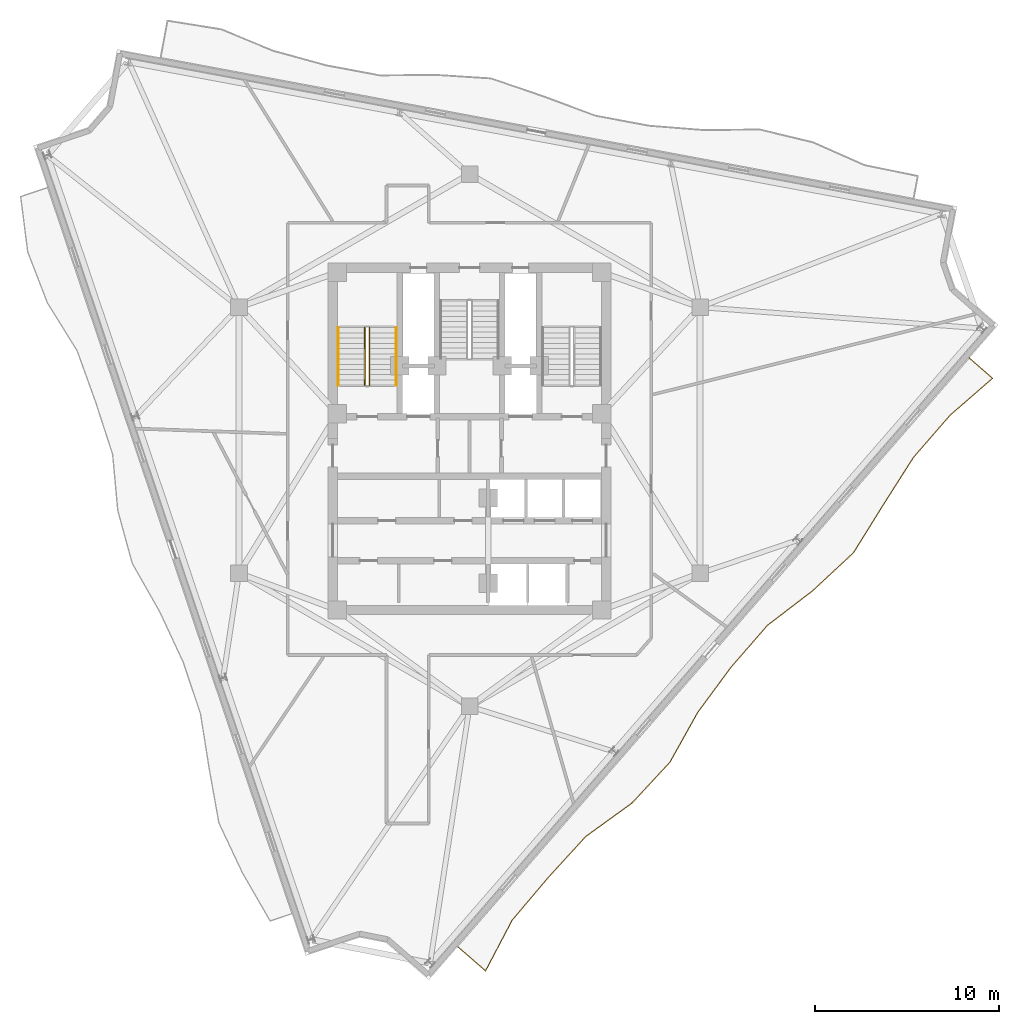
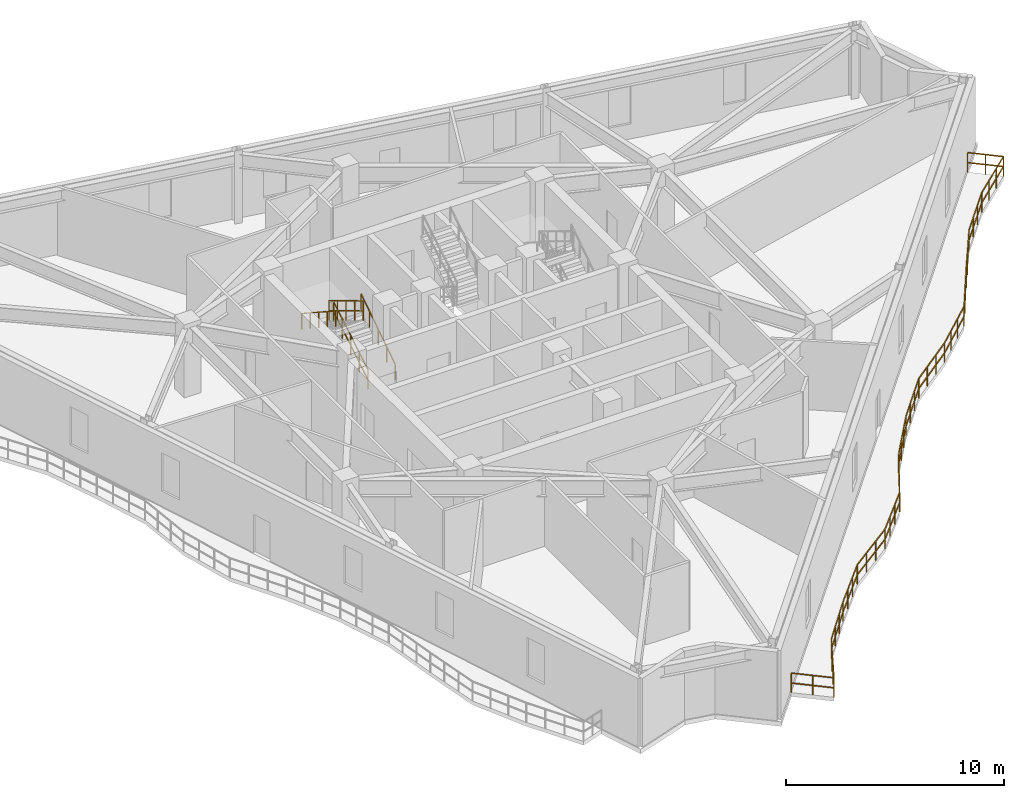
# One storey, part 8 of 9: 5 railings.
"""IFC4 building model written with IfcOpenShell, lengths in metres."""

from ifc_helpers import new_model, si_unit, direction, frame, origin, origin_2d, place, context, subcontext, project, spatial, rectangle, extrude, material, type_object, element, save


model = new_model("IFC4")

# Units and contexts
model_context = context("Model", 3, precision=1e-05, world=origin(), true_north=direction((0.0, 1.0)))
body_context = subcontext(model_context, "Body", "Model", "MODEL_VIEW")
ifc_project = project(units=[si_unit("LENGTHUNIT", "METRE"), si_unit("AREAUNIT", "SQUARE_METRE"), si_unit("VOLUMEUNIT", "CUBIC_METRE"), si_unit("PLANEANGLEUNIT", "RADIAN"), si_unit("MASSUNIT", "GRAM", prefix="KILO")], contexts=[model_context])

# Site, building, storey
site_placement = place(None, origin())
site = spatial("IfcSite", under=ifc_project, at=site_placement, CompositionType="ELEMENT")
building_placement = place(site_placement, origin())
building = spatial("IfcBuilding", under=site, at=building_placement, Name="Apsidion Concourse Tower", CompositionType="ELEMENT")
storey_placement = place(building_placement, frame((0.0, 0.0, 273.699951171875)))
storey = spatial("IfcBuildingStorey", under=building, at=storey_placement, Name="L64", CompositionType="ELEMENT", Elevation=273.699951171875)

# Railings
ifc_material = material(Name="Brushed stainless steel 316", Category="steel")
railing_type_1 = type_object("IfcRailingType", Name="RL-BAL-1120", PredefinedType="BALUSTRADE", material=ifc_material)
railing_1_placement = place(storey_placement, frame((27.2392578125, 4.47607421875, 0.0)))
element("IfcRailing", 1, at=railing_1_placement, inside=storey, type_object=railing_type_1, Name="L64 Face 2 Rippling Balcony Balustrade", PredefinedType="BALUSTRADE", context=body_context, shape_type="SweptSolid", body=[
    extrude(rectangle(XDim=0.048095703125, YDim=0.048095703125, at=origin_2d()), frame((0.0, 0.0, 1.09619140625), z_axis=(0.754693322425, -0.656077730979, 0.0), x_axis=(0.656077730979, 0.754693322425, 0.0)), (0.0, 0.0, 1.0), 1.676025390625),
    extrude(rectangle(XDim=0.048095703125, YDim=0.048095703125, at=origin_2d()), frame((0.0, 0.0, 0.5361328125), z_axis=(0.754693322425, -0.656077730979, 0.0), x_axis=(0.656077730979, 0.754693322425, 0.0)), (0.0, 0.0, 1.0), 1.676025390625),
    extrude(rectangle(XDim=0.048095703125, YDim=0.048095703125, at=origin_2d()), frame((1.264892578125, -1.099609375, 1.09619140625), z_axis=(-0.75457637179, -0.65621223635, 0.0), x_axis=(0.65621223635, -0.75457637179, 0.0)), (0.0, 0.0, 1.0), 3.065185546875),
    extrude(rectangle(XDim=0.048095703125, YDim=0.048095703125, at=origin_2d()), frame((1.264892578125, -1.099609375, 0.5361328125), z_axis=(-0.75457637179, -0.65621223635, 0.0), x_axis=(0.65621223635, -0.75457637179, 0.0)), (0.0, 0.0, 1.0), 3.065185546875),
    extrude(rectangle(XDim=0.048095703125, YDim=0.048095703125, at=origin_2d()), frame((-1.048095703125, -3.111083984375, 1.09619140625), z_axis=(-0.656081135174, -0.754690363042, 0.0), x_axis=(0.754690363042, -0.656081135174, 0.0)), (0.0, 0.0, 1.0), 3.035400390625),
    extrude(rectangle(XDim=0.048095703125, YDim=0.048095703125, at=origin_2d()), frame((-1.048095703125, -3.111083984375, 0.5361328125), z_axis=(-0.656081135174, -0.754690363042, 0.0), x_axis=(0.754690363042, -0.656081135174, 0.0)), (0.0, 0.0, 1.0), 3.035400390625),
    extrude(rectangle(XDim=0.048095703125, YDim=0.048095703125, at=origin_2d()), frame((-3.03955078125, -5.40185546875, 1.09619140625), z_axis=(-0.537179093814, -0.843468209934, 0.0), x_axis=(0.843468209934, -0.537179093814, 0.0)), (0.0, 0.0, 1.0), 3.069580078125),
    extrude(rectangle(XDim=0.048095703125, YDim=0.048095703125, at=origin_2d()), frame((-3.03955078125, -5.40185546875, 0.5361328125), z_axis=(-0.537179093814, -0.843468209934, 0.0), x_axis=(0.843468209934, -0.537179093814, 0.0)), (0.0, 0.0, 1.0), 3.069580078125),
    extrude(rectangle(XDim=0.048095703125, YDim=0.048095703125, at=origin_2d()), frame((-4.6884765625, -7.990966796875, 1.09619140625), z_axis=(-0.527491336038, -0.849560410097, 0.0), x_axis=(0.849560410097, -0.527491336038, 0.0)), (0.0, 0.0, 1.0), 3.07470703125),
    extrude(rectangle(XDim=0.048095703125, YDim=0.048095703125, at=origin_2d()), frame((-4.6884765625, -7.990966796875, 0.5361328125), z_axis=(-0.527491336038, -0.849560410097, 0.0), x_axis=(0.849560410097, -0.527491336038, 0.0)), (0.0, 0.0, 1.0), 3.07470703125),
    extrude(rectangle(XDim=0.048095703125, YDim=0.048095703125, at=origin_2d()), frame((-6.310302734375, -10.60302734375, 1.09619140625), z_axis=(-0.731966868206, -0.681340226207, 0.0), x_axis=(0.681340226207, -0.731966868206, 0.0)), (0.0, 0.0, 1.0), 3.052490234375),
    extrude(rectangle(XDim=0.048095703125, YDim=0.048095703125, at=origin_2d()), frame((-6.310302734375, -10.60302734375, 0.5361328125), z_axis=(-0.731966868206, -0.681340226207, 0.0), x_axis=(0.681340226207, -0.731966868206, 0.0)), (0.0, 0.0, 1.0), 3.052490234375),
    extrude(rectangle(XDim=0.048095703125, YDim=0.048095703125, at=origin_2d()), frame((-8.544677734375, -12.682861328125, 1.09619140625), z_axis=(-0.79418558519, -0.607675288519, 0.0), x_axis=(0.607675288519, -0.79418558519, 0.0)), (0.0, 0.0, 1.0), 3.098388671875),
    extrude(rectangle(XDim=0.048095703125, YDim=0.048095703125, at=origin_2d()), frame((-8.544677734375, -12.682861328125, 0.5361328125), z_axis=(-0.79418558519, -0.607675288519, 0.0), x_axis=(0.607675288519, -0.79418558519, 0.0)), (0.0, 0.0, 1.0), 3.098388671875),
    extrude(rectangle(XDim=0.048095703125, YDim=0.048095703125, at=origin_2d()), frame((-11.00537109375, -14.565673828125, 1.09619140625), z_axis=(-0.656087120153, -0.754685160029, 0.0), x_axis=(0.754685160029, -0.656087120153, 0.0)), (0.0, 0.0, 1.0), 3.03564453125),
    extrude(rectangle(XDim=0.048095703125, YDim=0.048095703125, at=origin_2d()), frame((-11.00537109375, -14.565673828125, 0.5361328125), z_axis=(-0.656087120153, -0.754685160029, 0.0), x_axis=(0.754685160029, -0.656087120153, 0.0)), (0.0, 0.0, 1.0), 3.03564453125),
    extrude(rectangle(XDim=0.048095703125, YDim=0.048095703125, at=origin_2d()), frame((-12.9970703125, -16.856689453125, 1.09619140625), z_axis=(-0.59299939253, -0.80520290639, 0.0), x_axis=(0.80520290639, -0.59299939253, 0.0)), (0.0, 0.0, 1.0), 3.04541015625),
    extrude(rectangle(XDim=0.048095703125, YDim=0.048095703125, at=origin_2d()), frame((-12.9970703125, -16.856689453125, 0.5361328125), z_axis=(-0.59299939253, -0.80520290639, 0.0), x_axis=(0.80520290639, -0.59299939253, 0.0)), (0.0, 0.0, 1.0), 3.04541015625),
    extrude(rectangle(XDim=0.048095703125, YDim=0.048095703125, at=origin_2d()), frame((-14.802978515625, -19.308837890625, 1.09619140625), z_axis=(-0.487339638568, -0.873212503736, 0.0), x_axis=(0.873212503736, -0.487339638568, 0.0)), (0.0, 0.0, 1.0), 3.1015625),
    extrude(rectangle(XDim=0.048095703125, YDim=0.048095703125, at=origin_2d()), frame((-14.802978515625, -19.308837890625, 0.5361328125), z_axis=(-0.487339638568, -0.873212503736, 0.0), x_axis=(0.873212503736, -0.487339638568, 0.0)), (0.0, 0.0, 1.0), 3.1015625),
    extrude(rectangle(XDim=0.048095703125, YDim=0.048095703125, at=origin_2d()), frame((-16.314453125, -22.01708984375, 1.09619140625), z_axis=(-0.679914415442, -0.73329147525, 0.0), x_axis=(0.73329147525, -0.679914415442, 0.0)), (0.0, 0.0, 1.0), 3.037109375),
    extrude(rectangle(XDim=0.048095703125, YDim=0.048095703125, at=origin_2d()), frame((-16.314453125, -22.01708984375, 0.5361328125), z_axis=(-0.679914415442, -0.73329147525, 0.0), x_axis=(0.73329147525, -0.679914415442, 0.0)), (0.0, 0.0, 1.0), 3.037109375),
    extrude(rectangle(XDim=0.048095703125, YDim=0.048095703125, at=origin_2d()), frame((-18.37939453125, -24.244140625, 1.09619140625), z_axis=(-0.810321747374, -0.585985209483, 0.0), x_axis=(0.585985209483, -0.810321747374, 0.0)), (0.0, 0.0, 1.0), 3.116943359375),
    extrude(rectangle(XDim=0.048095703125, YDim=0.048095703125, at=origin_2d()), frame((-18.37939453125, -24.244140625, 0.5361328125), z_axis=(-0.810321747374, -0.585985209483, 0.0), x_axis=(0.585985209483, -0.810321747374, 0.0)), (0.0, 0.0, 1.0), 3.116943359375),
    extrude(rectangle(XDim=0.048095703125, YDim=0.048095703125, at=origin_2d()), frame((-20.905029296875, -26.070556640625, 1.09619140625), z_axis=(-0.674886807521, -0.737921267504, 0.0), x_axis=(0.737921267504, -0.674886807521, 0.0)), (0.0, 0.0, 1.0), 3.03662109375),
    extrude(rectangle(XDim=0.048095703125, YDim=0.048095703125, at=origin_2d()), frame((-20.905029296875, -26.070556640625, 0.5361328125), z_axis=(-0.674886807521, -0.737921267504, 0.0), x_axis=(0.737921267504, -0.674886807521, 0.0)), (0.0, 0.0, 1.0), 3.03662109375),
    extrude(rectangle(XDim=0.048095703125, YDim=0.048095703125, at=origin_2d()), frame((-22.954345703125, -28.311279296875, 1.09619140625), z_axis=(-0.64535084011, -0.76388630906, 0.0), x_axis=(0.76388630906, -0.64535084011, 0.0)), (0.0, 0.0, 1.0), 3.035888671875),
    extrude(rectangle(XDim=0.048095703125, YDim=0.048095703125, at=origin_2d()), frame((-22.954345703125, -28.311279296875, 0.5361328125), z_axis=(-0.64535084011, -0.76388630906, 0.0), x_axis=(0.76388630906, -0.64535084011, 0.0)), (0.0, 0.0, 1.0), 3.035888671875),
    extrude(rectangle(XDim=0.048095703125, YDim=0.048095703125, at=origin_2d()), frame((-24.91357421875, -30.63037109375, 1.09619140625), z_axis=(-0.46503331461, -0.885293180987, 0.0), x_axis=(0.885293180987, -0.46503331461, 0.0)), (0.0, 0.0, 1.0), 3.118896484375),
    extrude(rectangle(XDim=0.048095703125, YDim=0.048095703125, at=origin_2d()), frame((-24.91357421875, -30.63037109375, 0.5361328125), z_axis=(-0.46503331461, -0.885293180987, 0.0), x_axis=(0.885293180987, -0.46503331461, 0.0)), (0.0, 0.0, 1.0), 3.118896484375),
    extrude(rectangle(XDim=0.048095703125, YDim=0.048095703125, at=origin_2d()), frame((-26.364013671875, -33.3916015625, 1.09619140625), z_axis=(-0.754762419194, 0.655998239763, 0.0), x_axis=(-0.655998239763, -0.754762419194, 0.0)), (0.0, 0.0, 1.0), 2.009765625),
    extrude(rectangle(XDim=0.048095703125, YDim=0.048095703125, at=origin_2d()), frame((-26.364013671875, -33.3916015625, 0.5361328125), z_axis=(-0.754762419194, 0.655998239763, 0.0), x_axis=(-0.655998239763, -0.754762419194, 0.0)), (0.0, 0.0, 1.0), 2.009765625),
    extrude(rectangle(XDim=0.0419921875, YDim=0.0419921875, at=origin_2d()), origin(), (0.0, 0.0, 1.0), 1.072021484375),
    extrude(rectangle(XDim=0.0419921875, YDim=0.0419921875, at=origin_2d()), frame((0.63232421875, -0.5498046875, 0.0)), (0.0, 0.0, 1.0), 1.072021484375),
    extrude(rectangle(XDim=0.0419921875, YDim=0.0419921875, at=origin_2d()), frame((1.264892578125, -1.099609375, 0.0)), (0.0, 0.0, 1.0), 1.072021484375),
    extrude(rectangle(XDim=0.0419921875, YDim=0.0419921875, at=origin_2d()), frame((0.493896484375, -1.77001953125, 0.0)), (0.0, 0.0, 1.0), 1.072021484375),
    extrude(rectangle(XDim=0.0419921875, YDim=0.0419921875, at=origin_2d()), frame((-0.277099609375, -2.440673828125, 0.0)), (0.0, 0.0, 1.0), 1.072021484375),
    extrude(rectangle(XDim=0.0419921875, YDim=0.0419921875, at=origin_2d()), frame((-1.048095703125, -3.111083984375, 0.0)), (0.0, 0.0, 1.0), 1.072021484375),
    extrude(rectangle(XDim=0.0419921875, YDim=0.0419921875, at=origin_2d()), frame((-1.7119140625, -3.874755859375, 0.0)), (0.0, 0.0, 1.0), 1.072021484375),
    extrude(rectangle(XDim=0.0419921875, YDim=0.0419921875, at=origin_2d()), frame((-2.375732421875, -4.63818359375, 0.0)), (0.0, 0.0, 1.0), 1.072021484375),
    extrude(rectangle(XDim=0.0419921875, YDim=0.0419921875, at=origin_2d()), frame((-3.03955078125, -5.40185546875, 0.0)), (0.0, 0.0, 1.0), 1.072021484375),
    extrude(rectangle(XDim=0.0419921875, YDim=0.0419921875, at=origin_2d()), frame((-3.589111328125, -6.264892578125, 0.0)), (0.0, 0.0, 1.0), 1.072021484375),
    extrude(rectangle(XDim=0.0419921875, YDim=0.0419921875, at=origin_2d()), frame((-4.138916015625, -7.1279296875, 0.0)), (0.0, 0.0, 1.0), 1.072021484375),
    extrude(rectangle(XDim=0.0419921875, YDim=0.0419921875, at=origin_2d()), frame((-4.6884765625, -7.990966796875, 0.0)), (0.0, 0.0, 1.0), 1.072021484375),
    extrude(rectangle(XDim=0.0419921875, YDim=0.0419921875, at=origin_2d()), frame((-5.22900390625, -8.861572265625, 0.0)), (0.0, 0.0, 1.0), 1.072021484375),
    extrude(rectangle(XDim=0.0419921875, YDim=0.0419921875, at=origin_2d()), frame((-5.769775390625, -9.732421875, 0.0)), (0.0, 0.0, 1.0), 1.072021484375),
    extrude(rectangle(XDim=0.0419921875, YDim=0.0419921875, at=origin_2d()), frame((-6.310302734375, -10.60302734375, 0.0)), (0.0, 0.0, 1.0), 1.072021484375),
    extrude(rectangle(XDim=0.0419921875, YDim=0.0419921875, at=origin_2d()), frame((-7.05517578125, -11.29638671875, 0.0)), (0.0, 0.0, 1.0), 1.072021484375),
    extrude(rectangle(XDim=0.0419921875, YDim=0.0419921875, at=origin_2d()), frame((-7.7998046875, -11.989501953125, 0.0)), (0.0, 0.0, 1.0), 1.072021484375),
    extrude(rectangle(XDim=0.0419921875, YDim=0.0419921875, at=origin_2d()), frame((-8.544677734375, -12.682861328125, 0.0)), (0.0, 0.0, 1.0), 1.072021484375),
    extrude(rectangle(XDim=0.0419921875, YDim=0.0419921875, at=origin_2d()), frame((-9.364990234375, -13.310546875, 0.0)), (0.0, 0.0, 1.0), 1.072021484375),
    extrude(rectangle(XDim=0.0419921875, YDim=0.0419921875, at=origin_2d()), frame((-10.18505859375, -13.93798828125, 0.0)), (0.0, 0.0, 1.0), 1.072021484375),
    extrude(rectangle(XDim=0.0419921875, YDim=0.0419921875, at=origin_2d()), frame((-11.00537109375, -14.565673828125, 0.0)), (0.0, 0.0, 1.0), 1.072021484375),
    extrude(rectangle(XDim=0.0419921875, YDim=0.0419921875, at=origin_2d()), frame((-11.669189453125, -15.329345703125, 0.0)), (0.0, 0.0, 1.0), 1.072021484375),
    extrude(rectangle(XDim=0.0419921875, YDim=0.0419921875, at=origin_2d()), frame((-12.333251953125, -16.093017578125, 0.0)), (0.0, 0.0, 1.0), 1.072021484375),
    extrude(rectangle(XDim=0.0419921875, YDim=0.0419921875, at=origin_2d()), frame((-12.9970703125, -16.856689453125, 0.0)), (0.0, 0.0, 1.0), 1.072021484375),
    extrude(rectangle(XDim=0.0419921875, YDim=0.0419921875, at=origin_2d()), frame((-13.59912109375, -17.674072265625, 0.0)), (0.0, 0.0, 1.0), 1.072021484375),
    extrude(rectangle(XDim=0.0419921875, YDim=0.0419921875, at=origin_2d()), frame((-14.200927734375, -18.491455078125, 0.0)), (0.0, 0.0, 1.0), 1.072021484375),
    extrude(rectangle(XDim=0.0419921875, YDim=0.0419921875, at=origin_2d()), frame((-14.802978515625, -19.308837890625, 0.0)), (0.0, 0.0, 1.0), 1.072021484375),
    extrude(rectangle(XDim=0.0419921875, YDim=0.0419921875, at=origin_2d()), frame((-15.306884765625, -20.211669921875, 0.0)), (0.0, 0.0, 1.0), 1.072021484375),
    extrude(rectangle(XDim=0.0419921875, YDim=0.0419921875, at=origin_2d()), frame((-15.810546875, -21.1142578125, 0.0)), (0.0, 0.0, 1.0), 1.072021484375),
    extrude(rectangle(XDim=0.0419921875, YDim=0.0419921875, at=origin_2d()), frame((-16.314453125, -22.01708984375, 0.0)), (0.0, 0.0, 1.0), 1.072021484375),
    extrude(rectangle(XDim=0.0419921875, YDim=0.0419921875, at=origin_2d()), frame((-17.002685546875, -22.759521484375, 0.0)), (0.0, 0.0, 1.0), 1.072021484375),
    extrude(rectangle(XDim=0.0419921875, YDim=0.0419921875, at=origin_2d()), frame((-17.691162109375, -23.501708984375, 0.0)), (0.0, 0.0, 1.0), 1.072021484375),
    extrude(rectangle(XDim=0.0419921875, YDim=0.0419921875, at=origin_2d()), frame((-18.37939453125, -24.244140625, 0.0)), (0.0, 0.0, 1.0), 1.072021484375),
    extrude(rectangle(XDim=0.0419921875, YDim=0.0419921875, at=origin_2d()), frame((-19.22119140625, -24.85302734375, 0.0)), (0.0, 0.0, 1.0), 1.072021484375),
    extrude(rectangle(XDim=0.0419921875, YDim=0.0419921875, at=origin_2d()), frame((-20.063232421875, -25.461669921875, 0.0)), (0.0, 0.0, 1.0), 1.072021484375),
    extrude(rectangle(XDim=0.0419921875, YDim=0.0419921875, at=origin_2d()), frame((-20.905029296875, -26.070556640625, 0.0)), (0.0, 0.0, 1.0), 1.072021484375),
    extrude(rectangle(XDim=0.0419921875, YDim=0.0419921875, at=origin_2d()), frame((-21.588134765625, -26.8173828125, 0.0)), (0.0, 0.0, 1.0), 1.072021484375),
    extrude(rectangle(XDim=0.0419921875, YDim=0.0419921875, at=origin_2d()), frame((-22.271240234375, -27.564453125, 0.0)), (0.0, 0.0, 1.0), 1.072021484375),
    extrude(rectangle(XDim=0.0419921875, YDim=0.0419921875, at=origin_2d()), frame((-22.954345703125, -28.311279296875, 0.0)), (0.0, 0.0, 1.0), 1.072021484375),
    extrude(rectangle(XDim=0.0419921875, YDim=0.0419921875, at=origin_2d()), frame((-23.607421875, -29.084228515625, 0.0)), (0.0, 0.0, 1.0), 1.072021484375),
    extrude(rectangle(XDim=0.0419921875, YDim=0.0419921875, at=origin_2d()), frame((-24.260498046875, -29.857421875, 0.0)), (0.0, 0.0, 1.0), 1.072021484375),
    extrude(rectangle(XDim=0.0419921875, YDim=0.0419921875, at=origin_2d()), frame((-24.91357421875, -30.63037109375, 0.0)), (0.0, 0.0, 1.0), 1.072021484375),
    extrude(rectangle(XDim=0.0419921875, YDim=0.0419921875, at=origin_2d()), frame((-25.39697265625, -31.55078125, 0.0)), (0.0, 0.0, 1.0), 1.072021484375),
    extrude(rectangle(XDim=0.0419921875, YDim=0.0419921875, at=origin_2d()), frame((-25.880615234375, -32.47119140625, 0.0)), (0.0, 0.0, 1.0), 1.072021484375),
    extrude(rectangle(XDim=0.0419921875, YDim=0.0419921875, at=origin_2d()), frame((-26.364013671875, -33.3916015625, 0.0)), (0.0, 0.0, 1.0), 1.072021484375),
    extrude(rectangle(XDim=0.0419921875, YDim=0.0419921875, at=origin_2d()), frame((-27.12255859375, -32.732421875, 0.0)), (0.0, 0.0, 1.0), 1.072021484375),
    extrude(rectangle(XDim=0.0419921875, YDim=0.0419921875, at=origin_2d()), frame((-27.880859375, -32.0732421875, 0.0)), (0.0, 0.0, 1.0), 1.072021484375),
])
railing_type_2 = type_object("IfcRailingType", Name="RL-GUARD-1100", PredefinedType="GUARDRAIL", material=ifc_material)
railing_2_placement = place(storey_placement, frame((-5.449951171875, 3.0, 0.1708984375)))
element("IfcRailing", 2, at=railing_2_placement, inside=storey, type_object=railing_type_2, Name="L64 ST1 stair guard 1", PredefinedType="GUARDRAIL", context=body_context, shape_type="SweptSolid", body=[
    extrude(rectangle(XDim=0.048095703125, YDim=0.048095703125, at=origin_2d()), frame((0.0, 0.0, 1.09619140625), z_axis=(0.0, 0.857716804754, 0.514122439544), x_axis=(-1.0, 0.0, 0.0)), (0.0, 0.0, 1.0), 3.655029296875),
    extrude(rectangle(XDim=0.048095703125, YDim=0.048095703125, at=origin_2d()), frame((0.0, 0.0, 0.5361328125), z_axis=(0.0, 0.857716804754, 0.514122439544), x_axis=(-1.0, 0.0, 0.0)), (0.0, 0.0, 1.0), 3.655029296875),
    extrude(rectangle(XDim=0.0419921875, YDim=0.0419921875, at=origin_2d()), origin(), (0.0, 0.0, 1.0), 1.072021484375),
    extrude(rectangle(XDim=0.0419921875, YDim=0.0419921875, at=origin_2d()), frame((0.0, 0.78369140625, 0.4697265625)), (0.0, 0.0, 1.0), 1.072021484375),
    extrude(rectangle(XDim=0.0419921875, YDim=0.0419921875, at=origin_2d()), frame((0.0, 1.5673828125, 0.939453125)), (0.0, 0.0, 1.0), 1.072021484375),
    extrude(rectangle(XDim=0.0419921875, YDim=0.0419921875, at=origin_2d()), frame((0.0, 2.351318359375, 1.409423828125)), (0.0, 0.0, 1.0), 1.072021484375),
    extrude(rectangle(XDim=0.0419921875, YDim=0.0419921875, at=origin_2d()), frame((0.0, 3.135009765625, 1.879150390625)), (0.0, 0.0, 1.0), 1.072021484375),
])
railing_3_placement = place(storey_placement, frame((-5.699951171875, 6.135009765625, 2.220947265625)))
element("IfcRailing", 3, at=railing_3_placement, inside=storey, type_object=railing_type_2, Name="L64 ST1 stair guard 3", PredefinedType="GUARDRAIL", context=body_context, shape_type="SweptSolid", body=[
    extrude(rectangle(XDim=0.048095703125, YDim=0.048095703125, at=origin_2d()), frame((0.0, 0.0, 1.09619140625), z_axis=(0.0, -0.857716804754, 0.514122439544), x_axis=(1.0, 0.0, 0.0)), (0.0, 0.0, 1.0), 3.655029296875),
    extrude(rectangle(XDim=0.048095703125, YDim=0.048095703125, at=origin_2d()), frame((0.0, 0.0, 0.5361328125), z_axis=(0.0, -0.857716804754, 0.514122439544), x_axis=(1.0, 0.0, 0.0)), (0.0, 0.0, 1.0), 3.655029296875),
    extrude(rectangle(XDim=0.0419921875, YDim=0.0419921875, at=origin_2d()), origin(), (0.0, 0.0, 1.0), 1.072021484375),
    extrude(rectangle(XDim=0.0419921875, YDim=0.0419921875, at=origin_2d()), frame((0.0, -0.78369140625, 0.4697265625)), (0.0, 0.0, 1.0), 1.072021484375),
    extrude(rectangle(XDim=0.0419921875, YDim=0.0419921875, at=origin_2d()), frame((0.0, -1.5673828125, 0.939453125)), (0.0, 0.0, 1.0), 1.072021484375),
    extrude(rectangle(XDim=0.0419921875, YDim=0.0419921875, at=origin_2d()), frame((0.0, -2.351318359375, 1.409423828125)), (0.0, 0.0, 1.0), 1.072021484375),
    extrude(rectangle(XDim=0.0419921875, YDim=0.0419921875, at=origin_2d()), frame((0.0, -3.135009765625, 1.879150390625)), (0.0, 0.0, 1.0), 1.072021484375),
])
railing_type_3 = type_object("IfcRailingType", Name="RL-HAND-900", PredefinedType="HANDRAIL", material=ifc_material)
railing_4_placement = place(storey_placement, frame((-4.0, 3.0, 0.1708984375)))
element("IfcRailing", 4, at=railing_4_placement, inside=storey, type_object=railing_type_3, Name="L64 ST1 stair handrail 1", PredefinedType="HANDRAIL", context=body_context, shape_type="SweptSolid", body=[
    extrude(rectangle(XDim=0.048095703125, YDim=0.048095703125, at=origin_2d()), frame((0.0, 0.0, 0.8759765625), z_axis=(0.0, 0.836940907821, 0.547293263996), x_axis=(-1.0, 0.0, 0.0)), (0.0, 0.0, 1.0), 3.745849609375),
    extrude(rectangle(XDim=0.0419921875, YDim=0.0419921875, at=origin_2d()), origin(), (0.0, 0.0, 1.0), 0.851806640625),
    extrude(rectangle(XDim=0.0419921875, YDim=0.0419921875, at=origin_2d()), frame((0.0, 0.78369140625, 0.512451171875)), (0.0, 0.0, 1.0), 0.851806640625),
    extrude(rectangle(XDim=0.0419921875, YDim=0.0419921875, at=origin_2d()), frame((0.0, 1.5673828125, 1.02490234375)), (0.0, 0.0, 1.0), 0.851806640625),
    extrude(rectangle(XDim=0.0419921875, YDim=0.0419921875, at=origin_2d()), frame((0.0, 2.351318359375, 1.53759765625)), (0.0, 0.0, 1.0), 0.851806640625),
    extrude(rectangle(XDim=0.0419921875, YDim=0.0419921875, at=origin_2d()), frame((0.0, 3.135009765625, 2.050048828125)), (0.0, 0.0, 1.0), 0.851806640625),
])
railing_5_placement = place(storey_placement, frame((-7.14990234375, 6.135009765625, 2.220947265625)))
element("IfcRailing", 5, at=railing_5_placement, inside=storey, type_object=railing_type_3, Name="L64 ST1 stair handrail 2", PredefinedType="HANDRAIL", context=body_context, shape_type="SweptSolid", body=[
    extrude(rectangle(XDim=0.048095703125, YDim=0.048095703125, at=origin_2d()), frame((0.0, 0.0, 0.8759765625), z_axis=(0.0, -0.836940907821, 0.547293263996), x_axis=(1.0, 0.0, 0.0)), (0.0, 0.0, 1.0), 3.745849609375),
    extrude(rectangle(XDim=0.0419921875, YDim=0.0419921875, at=origin_2d()), origin(), (0.0, 0.0, 1.0), 0.851806640625),
    extrude(rectangle(XDim=0.0419921875, YDim=0.0419921875, at=origin_2d()), frame((0.0, -0.78369140625, 0.512451171875)), (0.0, 0.0, 1.0), 0.851806640625),
    extrude(rectangle(XDim=0.0419921875, YDim=0.0419921875, at=origin_2d()), frame((0.0, -1.5673828125, 1.02490234375)), (0.0, 0.0, 1.0), 0.851806640625),
    extrude(rectangle(XDim=0.0419921875, YDim=0.0419921875, at=origin_2d()), frame((0.0, -2.351318359375, 1.53759765625)), (0.0, 0.0, 1.0), 0.851806640625),
    extrude(rectangle(XDim=0.0419921875, YDim=0.0419921875, at=origin_2d()), frame((0.0, -3.135009765625, 2.050048828125)), (0.0, 0.0, 1.0), 0.851806640625),
])

save(model, "model.ifc")
